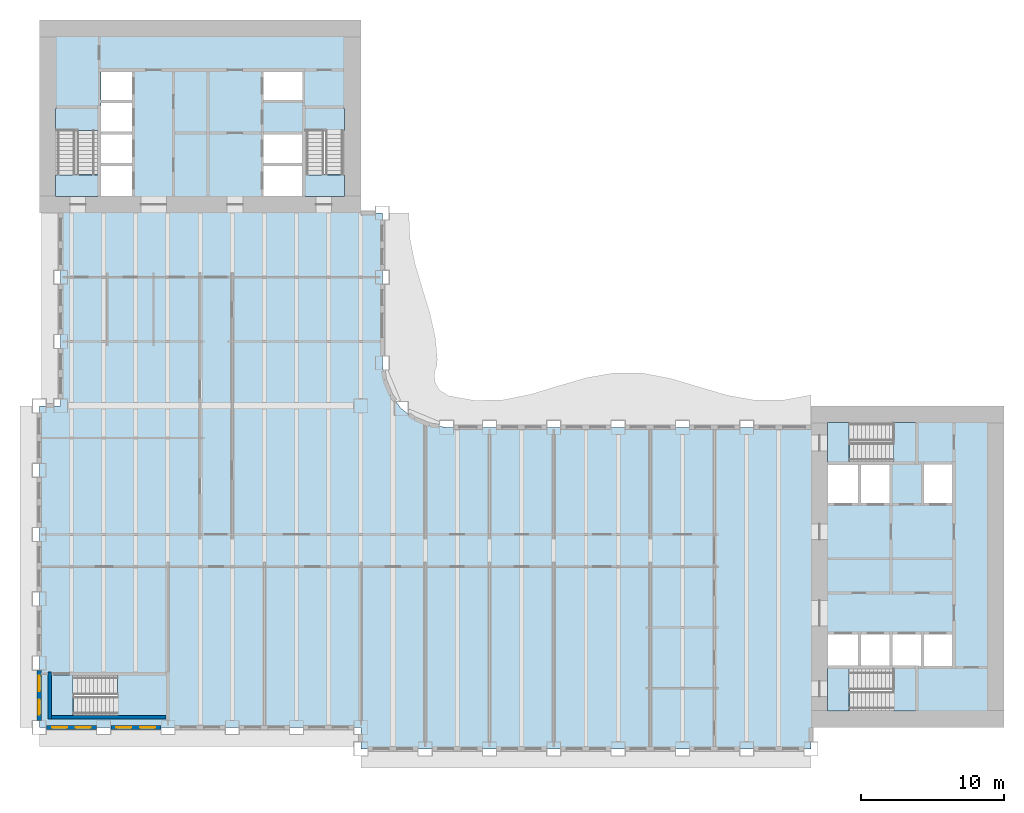
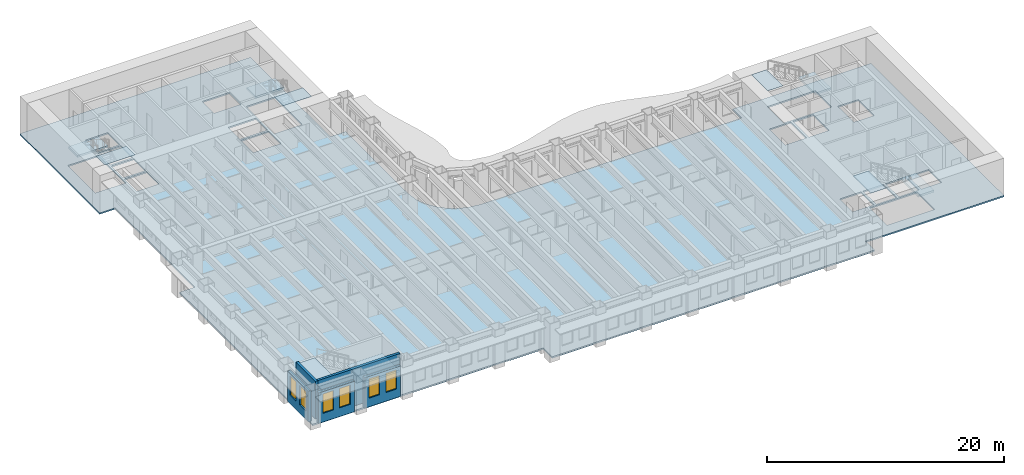
# One storey, part 2 of 16: 11 slabs, 6 windows, 5 walls, 6 openings, 5 elements without a shape of their own.
"""IFC4 building model written with IfcOpenShell, lengths in metres."""

from ifc_helpers import new_model, si_unit, direction, frame, frame_2d, origin, place, context, subcontext, project, spatial, polyline, rectangle, outline, extrude, material, layer, layer_set, type_object, element, fill, aggregate, save


model = new_model("IFC4")

# Units and contexts
model_context = context("Model", 3, precision=1e-05, world=origin(), true_north=direction((0.0, 1.0)))
body_context = subcontext(model_context, "Body", "Model", "MODEL_VIEW")
ifc_project = project(units=[si_unit("LENGTHUNIT", "METRE"), si_unit("AREAUNIT", "SQUARE_METRE"), si_unit("VOLUMEUNIT", "CUBIC_METRE"), si_unit("PLANEANGLEUNIT", "RADIAN"), si_unit("MASSUNIT", "GRAM", prefix="KILO")], contexts=[model_context])

# Site, building, storey
site_placement = place(None, origin())
site = spatial("IfcSite", under=ifc_project, at=site_placement, CompositionType="ELEMENT")
building_placement = place(site_placement, origin())
building = spatial("IfcBuilding", under=site, at=building_placement, Name="Sennacour Bend Tower", CompositionType="ELEMENT")
storey_placement = place(building_placement, frame((0.0, 0.0, 83.0)))
storey = spatial("IfcBuildingStorey", under=building, at=storey_placement, Name="L18", CompositionType="ELEMENT", Elevation=83.0)

# Slabs
ifc_material_1 = material(Name="Concrete C30/37", Category="concrete")
ifc_layer_1 = layer(ifc_material_1, 0.14990234375, Name="Concrete C30/37", Category="concrete")
ifc_layer_set_1 = layer_set([ifc_layer_1], Name="Concrete C30/37")
slab_type_1 = type_object("IfcSlabType", Name="Floor slab 150", PredefinedType="FLOOR", material=ifc_layer_set_1)
slab_1_placement = place(storey_placement, frame((0.0, 0.0, -0.14990234375)))
element("IfcSlab", 1, at=slab_1_placement, inside=storey, type_object=slab_type_1, Name="Floor slab L18-01", PredefinedType="FLOOR", context=body_context, shape_type="SweptSolid", body=[
    extrude(outline(polyline([(22.5, 0.0), (0.0, 0.0), (0.0, 22.5), (1.5, 22.5), (1.5, 36.0), (0.0, 36.0), (0.0, 49.5), (22.5, 49.5), (22.5, 36.0), (24.0, 36.0), (24.0, 25.5), (24.1533203125, 24.335205078125), (24.602783203125, 23.25), (25.318115234375, 22.318115234375), (26.25, 21.602783203125), (27.335205078125, 21.1533203125), (28.5, 21.0), (54.0, 21.0), (54.0, 22.5), (67.5, 22.5), (67.5, 0.0), (54.0, 0.0), (54.0, -1.5), (22.5, -1.5), (22.5, 0.0)]), holes=[polyline([(8.800048828125, 0.949951171875), (8.800048828125, 3.5), (2.429931640625, 3.5), (2.429931640625, 0.949951171875), (8.800048828125, 0.949951171875)]), polyline([(6.5, 37.199951171875), (6.5, 39.300048828125), (4.300048828125, 39.300048828125), (4.300048828125, 37.199951171875), (6.5, 37.199951171875)]), polyline([(18.39990234375, 37.199951171875), (18.39990234375, 39.300048828125), (15.699951171875, 39.300048828125), (15.699951171875, 37.199951171875), (18.39990234375, 37.199951171875)]), polyline([(6.5, 39.5), (6.5, 41.5), (4.300048828125, 41.5), (4.300048828125, 39.5), (6.5, 39.5)]), polyline([(18.39990234375, 39.5), (18.39990234375, 41.5), (15.699951171875, 41.5), (15.699951171875, 39.5), (18.39990234375, 39.5)]), polyline([(4.125, 38.72998046875), (4.125, 43.39990234375), (1.14990234375, 43.39990234375), (1.14990234375, 38.72998046875), (4.125, 38.72998046875)]), polyline([(21.35009765625, 38.72998046875), (21.35009765625, 43.39990234375), (18.574951171875, 43.39990234375), (18.574951171875, 38.72998046875), (21.35009765625, 38.72998046875)]), polyline([(4.300048828125, 41.699951171875), (6.5, 41.699951171875), (6.5, 43.699951171875), (4.300048828125, 43.699951171875), (4.300048828125, 41.699951171875)]), polyline([(4.300048828125, 43.89990234375), (6.5, 43.89990234375), (6.5, 45.89990234375), (4.300048828125, 45.89990234375), (4.300048828125, 43.89990234375)]), polyline([(18.39990234375, 43.89990234375), (18.39990234375, 45.89990234375), (15.699951171875, 45.89990234375), (15.699951171875, 43.89990234375), (18.39990234375, 43.89990234375)]), polyline([(61.39990234375, 1.14990234375), (61.39990234375, 4.125), (56.72998046875, 4.125), (56.72998046875, 1.14990234375), (61.39990234375, 1.14990234375)]), polyline([(57.300048828125, 4.300048828125), (57.300048828125, 6.5), (55.199951171875, 6.5), (55.199951171875, 4.300048828125), (57.300048828125, 4.300048828125)]), polyline([(57.5, 4.300048828125), (59.5, 4.300048828125), (59.5, 6.5), (57.5, 6.5), (57.5, 4.300048828125)]), polyline([(59.699951171875, 4.300048828125), (61.699951171875, 4.300048828125), (61.699951171875, 6.5), (59.699951171875, 6.5), (59.699951171875, 4.300048828125)]), polyline([(63.89990234375, 4.300048828125), (63.89990234375, 6.5), (61.89990234375, 6.5), (61.89990234375, 4.300048828125), (63.89990234375, 4.300048828125)]), polyline([(57.300048828125, 15.699951171875), (57.300048828125, 18.39990234375), (55.199951171875, 18.39990234375), (55.199951171875, 15.699951171875), (57.300048828125, 15.699951171875)]), polyline([(59.5, 15.699951171875), (59.5, 18.39990234375), (57.5, 18.39990234375), (57.5, 15.699951171875), (59.5, 15.699951171875)]), polyline([(61.89990234375, 15.699951171875), (63.89990234375, 15.699951171875), (63.89990234375, 18.39990234375), (61.89990234375, 18.39990234375), (61.89990234375, 15.699951171875)]), polyline([(56.72998046875, 18.574951171875), (61.39990234375, 18.574951171875), (61.39990234375, 21.35009765625), (56.72998046875, 21.35009765625), (56.72998046875, 18.574951171875)])]), origin(), (0.0, 0.0, 1.0), 0.14990234375),
])
ifc_material_2 = material(Name="Concrete C40/50", Category="concrete")
ifc_layer_2 = layer(ifc_material_2, 0.034912109375, Name="Concrete C40/50", Category="concrete")
ifc_layer_set_2 = layer_set([ifc_layer_2], Name="Concrete C40/50")
slab_type_2 = type_object("IfcSlabType", Name="Stair arrival nib 35", PredefinedType="FLOOR", material=ifc_layer_set_2)
slab_2_placement = place(storey_placement, frame((0.0, 0.0, 3.815185546875)))
element("IfcSlab", 2, at=slab_2_placement, inside=storey, type_object=slab_type_2, Name="L18 SA1 stair arrival nib", PredefinedType="FLOOR", context=body_context, shape_type="SweptSolid", body=[
    extrude(outline(polyline([(56.64208984375, 4.125), (55.14990234375, 4.125), (55.14990234375, 1.14990234375), (56.64208984375, 1.14990234375), (56.64208984375, 4.125)])), origin(), (0.0, 0.0, 1.0), 0.034912109375),
])
slab_3_placement = place(storey_placement, frame((0.0, 0.0, 3.815185546875)))
element("IfcSlab", 3, at=slab_3_placement, inside=storey, type_object=slab_type_2, Name="L18 SA2 stair arrival nib", PredefinedType="FLOOR", context=body_context, shape_type="SweptSolid", body=[
    extrude(outline(polyline([(56.64208984375, 21.35009765625), (55.14990234375, 21.35009765625), (55.14990234375, 18.574951171875), (56.64208984375, 18.574951171875), (56.64208984375, 21.35009765625)])), origin(), (0.0, 0.0, 1.0), 0.034912109375),
])
slab_4_placement = place(storey_placement, frame((0.0, 0.0, 3.815185546875)))
element("IfcSlab", 4, at=slab_4_placement, inside=storey, type_object=slab_type_2, Name="L18 SB1 stair arrival nib", PredefinedType="FLOOR", context=body_context, shape_type="SweptSolid", body=[
    extrude(outline(polyline([(1.14990234375, 38.64208984375), (1.14990234375, 37.14990234375), (4.125, 37.14990234375), (4.125, 38.64208984375), (1.14990234375, 38.64208984375)])), origin(), (0.0, 0.0, 1.0), 0.034912109375),
])
slab_5_placement = place(storey_placement, frame((0.0, 0.0, 3.815185546875)))
element("IfcSlab", 5, at=slab_5_placement, inside=storey, type_object=slab_type_2, Name="L18 SB2 stair arrival nib", PredefinedType="FLOOR", context=body_context, shape_type="SweptSolid", body=[
    extrude(outline(polyline([(18.574951171875, 38.64208984375), (18.574951171875, 37.14990234375), (21.35009765625, 37.14990234375), (21.35009765625, 38.64208984375), (18.574951171875, 38.64208984375)])), origin(), (0.0, 0.0, 1.0), 0.034912109375),
])
slab_6_placement = place(storey_placement, frame((0.0, 0.0, 3.815185546875)))
element("IfcSlab", 6, at=slab_6_placement, inside=storey, type_object=slab_type_2, Name="L18 SK1 stair arrival nib", PredefinedType="FLOOR", context=body_context, shape_type="SweptSolid", body=[
    extrude(outline(polyline([(2.342041015625, 3.675048828125), (0.800048828125, 3.675048828125), (0.800048828125, 0.800048828125), (2.342041015625, 0.800048828125), (2.342041015625, 3.675048828125)])), origin(), (0.0, 0.0, 1.0), 0.034912109375),
])

# Stair, slab
stair_type = type_object("IfcStairType", Name="ST-DOGLEG", PredefinedType="HALF_TURN_STAIR", material=ifc_material_2)
stair_1_placement = place(storey_placement, origin())
stair_1 = element("IfcStair", 7, at=stair_1_placement, inside=storey, type_object=stair_type, Name="L18 Exit stair A1", PredefinedType="HALF_TURN_STAIR")
ifc_layer_3 = layer(ifc_material_2, 0.199951171875, Name="Concrete C40/50", Category="concrete")
ifc_layer_set_3 = layer_set([ifc_layer_3], Name="Concrete C40/50")
slab_type_3 = type_object("IfcSlabType", Name="Stair landing 200", PredefinedType="LANDING", material=ifc_layer_set_3)
slab_7_placement = place(storey_placement, frame((0.0, 0.0, 1.800048828125)))
slab_7 = element("IfcSlab", 8, at=slab_7_placement, type_object=slab_type_3, Name="SA1 landing 1", PredefinedType="LANDING", context=body_context, shape_type="SweptSolid", body=[
    extrude(outline(polyline([(59.780029296875, 1.14990234375), (61.324951171875, 1.14990234375), (61.324951171875, 4.125), (59.780029296875, 4.125), (59.780029296875, 1.14990234375)])), origin(), (0.0, 0.0, 1.0), 0.199951171875),
])
aggregate(stair_1, [slab_7])

stair_2_placement = place(storey_placement, origin())
stair_2 = element("IfcStair", 9, at=stair_2_placement, inside=storey, type_object=stair_type, Name="L18 Exit stair A2", PredefinedType="HALF_TURN_STAIR")
slab_8_placement = place(storey_placement, frame((0.0, 0.0, 1.800048828125)))
slab_8 = element("IfcSlab", 10, at=slab_8_placement, type_object=slab_type_3, Name="SA2 landing 1", PredefinedType="LANDING", context=body_context, shape_type="SweptSolid", body=[
    extrude(outline(polyline([(59.780029296875, 18.574951171875), (61.324951171875, 18.574951171875), (61.324951171875, 21.35009765625), (59.780029296875, 21.35009765625), (59.780029296875, 18.574951171875)])), origin(), (0.0, 0.0, 1.0), 0.199951171875),
])
aggregate(stair_2, [slab_8])

stair_3_placement = place(storey_placement, origin())
stair_3 = element("IfcStair", 11, at=stair_3_placement, inside=storey, type_object=stair_type, Name="L18 Exit stair B1", PredefinedType="HALF_TURN_STAIR")
slab_9_placement = place(storey_placement, frame((0.0, 0.0, 1.800048828125)))
slab_9 = element("IfcSlab", 12, at=slab_9_placement, type_object=slab_type_3, Name="SB1 landing 1", PredefinedType="LANDING", context=body_context, shape_type="SweptSolid", body=[
    extrude(outline(polyline([(1.14990234375, 41.780029296875), (4.125, 41.780029296875), (4.125, 43.324951171875), (1.14990234375, 43.324951171875), (1.14990234375, 41.780029296875)])), origin(), (0.0, 0.0, 1.0), 0.199951171875),
])
aggregate(stair_3, [slab_9])

stair_4_placement = place(storey_placement, origin())
stair_4 = element("IfcStair", 13, at=stair_4_placement, inside=storey, type_object=stair_type, Name="L18 Exit stair B2", PredefinedType="HALF_TURN_STAIR")
slab_10_placement = place(storey_placement, frame((0.0, 0.0, 1.800048828125)))
slab_10 = element("IfcSlab", 14, at=slab_10_placement, type_object=slab_type_3, Name="SB2 landing 1", PredefinedType="LANDING", context=body_context, shape_type="SweptSolid", body=[
    extrude(outline(polyline([(18.574951171875, 41.780029296875), (21.35009765625, 41.780029296875), (21.35009765625, 43.324951171875), (18.574951171875, 43.324951171875), (18.574951171875, 41.780029296875)])), origin(), (0.0, 0.0, 1.0), 0.199951171875),
])
aggregate(stair_4, [slab_10])

stair_5_placement = place(storey_placement, origin())
stair_5 = element("IfcStair", 15, at=stair_5_placement, inside=storey, type_object=stair_type, Name="L18 Exit stair K1", PredefinedType="HALF_TURN_STAIR")
slab_11_placement = place(storey_placement, frame((0.0, 0.0, 1.800048828125)))
slab_11 = element("IfcSlab", 16, at=slab_11_placement, type_object=slab_type_3, Name="SK1 landing 1", PredefinedType="LANDING", context=body_context, shape_type="SweptSolid", body=[
    extrude(outline(polyline([(5.47998046875, 0.800048828125), (8.925048828125, 0.800048828125), (8.925048828125, 3.675048828125), (5.47998046875, 3.675048828125), (5.47998046875, 0.800048828125)])), origin(), (0.0, 0.0, 1.0), 0.199951171875),
])
aggregate(stair_5, [slab_11])

# Wall, openings, windows
ifc_material_3 = material(Name="Warm limestone cladding", Category="masonry")
ifc_layer_4 = layer(ifc_material_3, 0.050048828125, Name="Warm limestone cladding", Category="masonry")
ifc_material_4 = material(Name="Precast concrete C40/50", Category="concrete")
ifc_layer_5 = layer(ifc_material_4, 0.25, Name="Precast concrete C40/50", Category="concrete")
ifc_layer_set_4 = layer_set([ifc_layer_4, ifc_layer_5], Name="Precast concrete C40/50 with limestone cladding")
wall_type_1 = type_object("IfcWallType", Name="STONE-CLAD PRECAST SPANDREL 300", PredefinedType="STANDARD", material=ifc_layer_set_4)
wall_1_placement = place(storey_placement, frame((0.0, 4.0, 0.0), z_axis=(0.0, 0.0, 1.0), x_axis=(0.0, -1.0, 0.0)))
wall_1 = element("IfcWall", 17, at=wall_1_placement, inside=storey, type_object=wall_type_1, Name="Stone spandrel and pier wall L18 21.04", PredefinedType="STANDARD", context=body_context, shape_type="SweptSolid", body=[
    extrude(rectangle(XDim=3.5, YDim=0.300048828125, at=frame_2d((1.75, 0.0))), origin(), (0.0, 0.0, 1.0), 3.154052734375),
])
opening_1_placement = place(wall_1_placement, frame((0.39990234375, 0.0, 0.89990234375)))
opening_1 = element("IfcOpeningElement", 18, at=opening_1_placement, cuts=wall_1, Name="Opening W13", PredefinedType="OPENING", context=body_context, shape_type="SweptSolid", body=[
    extrude(rectangle(XDim=1.050048828125, YDim=2.0, at=frame_2d((0.52490234375, 1.0))), frame((0.0, 0.16015625, 0.0), z_axis=(0.0, -1.0, 0.0), x_axis=(1.0, 0.0, 0.0)), (0.0, 0.0, 1.0), 0.320068359375),
])
opening_2_placement = place(wall_1_placement, frame((2.050048828125, 0.0, 0.89990234375)))
opening_2 = element("IfcOpeningElement", 19, at=opening_2_placement, cuts=wall_1, Name="Opening W13", PredefinedType="OPENING", context=body_context, shape_type="SweptSolid", body=[
    extrude(rectangle(XDim=1.050048828125, YDim=2.0, at=frame_2d((0.52490234375, 1.0))), frame((0.0, 0.16015625, 0.0), z_axis=(0.0, -1.0, 0.0), x_axis=(1.0, 0.0, 0.0)), (0.0, 0.0, 1.0), 0.320068359375),
])
ifc_material_5 = material(Name="Clear low-emissivity glass", Category="glass")
window_type = type_object("IfcWindowType", Name="WIN-RIBBON-1050x2000", PartitioningType="SINGLE_PANEL", PredefinedType="WINDOW", material=ifc_material_5)
window_1_placement = place(opening_1_placement, origin())
window_1 = element("IfcWindow", 20, at=window_1_placement, inside=storey, type_object=window_type, Name="Ribbon window L18 21.04.0", OverallHeight=2.0, OverallWidth=1.050048828125, PartitioningType="SINGLE_PANEL", PredefinedType="WINDOW", context=body_context, shape_type="SweptSolid", body=[
    extrude(rectangle(XDim=1.050048828125, YDim=2.0, at=frame_2d((0.52490234375, 1.0))), frame((0.0, 0.030029296875, 0.0), z_axis=(0.0, -1.0, 0.0), x_axis=(1.0, 0.0, 0.0)), (0.0, 0.0, 1.0), 0.06005859375),
])
fill(opening_1, window_1)
window_2_placement = place(opening_2_placement, origin())
window_2 = element("IfcWindow", 21, at=window_2_placement, inside=storey, type_object=window_type, Name="Ribbon window L18 21.04.1", OverallHeight=2.0, OverallWidth=1.050048828125, PartitioningType="SINGLE_PANEL", PredefinedType="WINDOW", context=body_context, shape_type="SweptSolid", body=[
    extrude(rectangle(XDim=1.050048828125, YDim=2.0, at=frame_2d((0.52490234375, 1.0))), frame((0.0, 0.030029296875, 0.0), z_axis=(0.0, -1.0, 0.0), x_axis=(1.0, 0.0, 0.0)), (0.0, 0.0, 1.0), 0.06005859375),
])
fill(opening_2, window_2)

wall_2_placement = place(storey_placement, frame((0.5, 0.0, 0.0), z_axis=(0.0, 0.0, 1.0), x_axis=(1.0, 0.0, 0.0)))
wall_2 = element("IfcWall", 22, at=wall_2_placement, inside=storey, type_object=wall_type_1, Name="Stone spandrel and pier wall L18 22.00", PredefinedType="STANDARD", context=body_context, shape_type="SweptSolid", body=[
    extrude(rectangle(XDim=3.5, YDim=0.300048828125, at=frame_2d((1.75, 0.0))), origin(), (0.0, 0.0, 1.0), 3.154052734375),
])
opening_3_placement = place(wall_2_placement, frame((0.39990234375, 0.0, 0.89990234375)))
opening_3 = element("IfcOpeningElement", 23, at=opening_3_placement, cuts=wall_2, Name="Opening W13", PredefinedType="OPENING", context=body_context, shape_type="SweptSolid", body=[
    extrude(rectangle(XDim=1.050048828125, YDim=2.0, at=frame_2d((0.52490234375, 1.0))), frame((0.0, 0.16015625, 0.0), z_axis=(0.0, -1.0, 0.0), x_axis=(1.0, 0.0, 0.0)), (0.0, 0.0, 1.0), 0.320068359375),
])
opening_4_placement = place(wall_2_placement, frame((2.050048828125, 0.0, 0.89990234375)))
opening_4 = element("IfcOpeningElement", 24, at=opening_4_placement, cuts=wall_2, Name="Opening W13", PredefinedType="OPENING", context=body_context, shape_type="SweptSolid", body=[
    extrude(rectangle(XDim=1.050048828125, YDim=2.0, at=frame_2d((0.52490234375, 1.0))), frame((0.0, 0.16015625, 0.0), z_axis=(0.0, -1.0, 0.0), x_axis=(1.0, 0.0, 0.0)), (0.0, 0.0, 1.0), 0.320068359375),
])
window_3_placement = place(opening_3_placement, origin())
window_3 = element("IfcWindow", 25, at=window_3_placement, inside=storey, type_object=window_type, Name="Ribbon window L18 22.00.0", OverallHeight=2.0, OverallWidth=1.050048828125, PartitioningType="SINGLE_PANEL", PredefinedType="WINDOW", context=body_context, shape_type="SweptSolid", body=[
    extrude(rectangle(XDim=1.050048828125, YDim=2.0, at=frame_2d((0.52490234375, 1.0))), frame((0.0, 0.030029296875, 0.0), z_axis=(0.0, -1.0, 0.0), x_axis=(1.0, 0.0, 0.0)), (0.0, 0.0, 1.0), 0.06005859375),
])
fill(opening_3, window_3)
window_4_placement = place(opening_4_placement, origin())
window_4 = element("IfcWindow", 26, at=window_4_placement, inside=storey, type_object=window_type, Name="Ribbon window L18 22.00.1", OverallHeight=2.0, OverallWidth=1.050048828125, PartitioningType="SINGLE_PANEL", PredefinedType="WINDOW", context=body_context, shape_type="SweptSolid", body=[
    extrude(rectangle(XDim=1.050048828125, YDim=2.0, at=frame_2d((0.52490234375, 1.0))), frame((0.0, 0.030029296875, 0.0), z_axis=(0.0, -1.0, 0.0), x_axis=(1.0, 0.0, 0.0)), (0.0, 0.0, 1.0), 0.06005859375),
])
fill(opening_4, window_4)

wall_3_placement = place(storey_placement, frame((5.0, 0.0, 0.0), z_axis=(0.0, 0.0, 1.0), x_axis=(1.0, 0.0, 0.0)))
wall_3 = element("IfcWall", 27, at=wall_3_placement, inside=storey, type_object=wall_type_1, Name="Stone spandrel and pier wall L18 22.01", PredefinedType="STANDARD", context=body_context, shape_type="SweptSolid", body=[
    extrude(rectangle(XDim=3.5, YDim=0.300048828125, at=frame_2d((1.75, 0.0))), origin(), (0.0, 0.0, 1.0), 3.154052734375),
])
opening_5_placement = place(wall_3_placement, frame((0.39990234375, 0.0, 0.89990234375)))
opening_5 = element("IfcOpeningElement", 28, at=opening_5_placement, cuts=wall_3, Name="Opening W13", PredefinedType="OPENING", context=body_context, shape_type="SweptSolid", body=[
    extrude(rectangle(XDim=1.050048828125, YDim=2.0, at=frame_2d((0.52490234375, 1.0))), frame((0.0, 0.16015625, 0.0), z_axis=(0.0, -1.0, 0.0), x_axis=(1.0, 0.0, 0.0)), (0.0, 0.0, 1.0), 0.320068359375),
])
opening_6_placement = place(wall_3_placement, frame((2.050048828125, 0.0, 0.89990234375)))
opening_6 = element("IfcOpeningElement", 29, at=opening_6_placement, cuts=wall_3, Name="Opening W13", PredefinedType="OPENING", context=body_context, shape_type="SweptSolid", body=[
    extrude(rectangle(XDim=1.050048828125, YDim=2.0, at=frame_2d((0.52490234375, 1.0))), frame((0.0, 0.16015625, 0.0), z_axis=(0.0, -1.0, 0.0), x_axis=(1.0, 0.0, 0.0)), (0.0, 0.0, 1.0), 0.320068359375),
])
window_5_placement = place(opening_5_placement, origin())
window_5 = element("IfcWindow", 30, at=window_5_placement, inside=storey, type_object=window_type, Name="Ribbon window L18 22.01.0", OverallHeight=2.0, OverallWidth=1.050048828125, PartitioningType="SINGLE_PANEL", PredefinedType="WINDOW", context=body_context, shape_type="SweptSolid", body=[
    extrude(rectangle(XDim=1.050048828125, YDim=2.0, at=frame_2d((0.52490234375, 1.0))), frame((0.0, 0.030029296875, 0.0), z_axis=(0.0, -1.0, 0.0), x_axis=(1.0, 0.0, 0.0)), (0.0, 0.0, 1.0), 0.06005859375),
])
fill(opening_5, window_5)
window_6_placement = place(opening_6_placement, origin())
window_6 = element("IfcWindow", 31, at=window_6_placement, inside=storey, type_object=window_type, Name="Ribbon window L18 22.01.1", OverallHeight=2.0, OverallWidth=1.050048828125, PartitioningType="SINGLE_PANEL", PredefinedType="WINDOW", context=body_context, shape_type="SweptSolid", body=[
    extrude(rectangle(XDim=1.050048828125, YDim=2.0, at=frame_2d((0.52490234375, 1.0))), frame((0.0, 0.030029296875, 0.0), z_axis=(0.0, -1.0, 0.0), x_axis=(1.0, 0.0, 0.0)), (0.0, 0.0, 1.0), 0.06005859375),
])
fill(opening_6, window_6)

# Walls
ifc_material_6 = material(Name="Concrete C60/75", Category="concrete")
ifc_layer_6 = layer(ifc_material_6, 0.25, Name="Concrete C60/75", Category="concrete")
ifc_layer_set_5 = layer_set([ifc_layer_6], Name="Concrete C60/75")
wall_type_2 = type_object("IfcWallType", Name="Stair wall 250", PredefinedType="SHEAR", material=ifc_layer_set_5)
wall_4_placement = place(storey_placement, frame((0.72509765625, 0.60009765625, 0.0), z_axis=(0.0, 0.0, 1.0), x_axis=(0.0, 1.0, 0.0)))
element("IfcWall", 32, at=wall_4_placement, inside=storey, type_object=wall_type_2, Name="P-L18-W002", PredefinedType="SHEAR", context=body_context, shape_type="SweptSolid", body=[
    extrude(rectangle(XDim=3.27490234375, YDim=0.25, at=frame_2d((1.637451171875, 0.0))), origin(), (0.0, 0.0, 1.0), 3.85009765625),
])
wall_5_placement = place(storey_placement, frame((0.85009765625, 0.72509765625, 0.0), z_axis=(0.0, 0.0, 1.0), x_axis=(1.0, 0.0, 0.0)))
element("IfcWall", 33, at=wall_5_placement, inside=storey, type_object=wall_type_2, Name="P-L18-W048", PredefinedType="SHEAR", context=body_context, shape_type="SweptSolid", body=[
    extrude(rectangle(XDim=8.02490234375, YDim=0.25, at=frame_2d((4.012451171875, 0.0))), origin(), (0.0, 0.0, 1.0), 3.85009765625),
])

save(model, "model.ifc")
